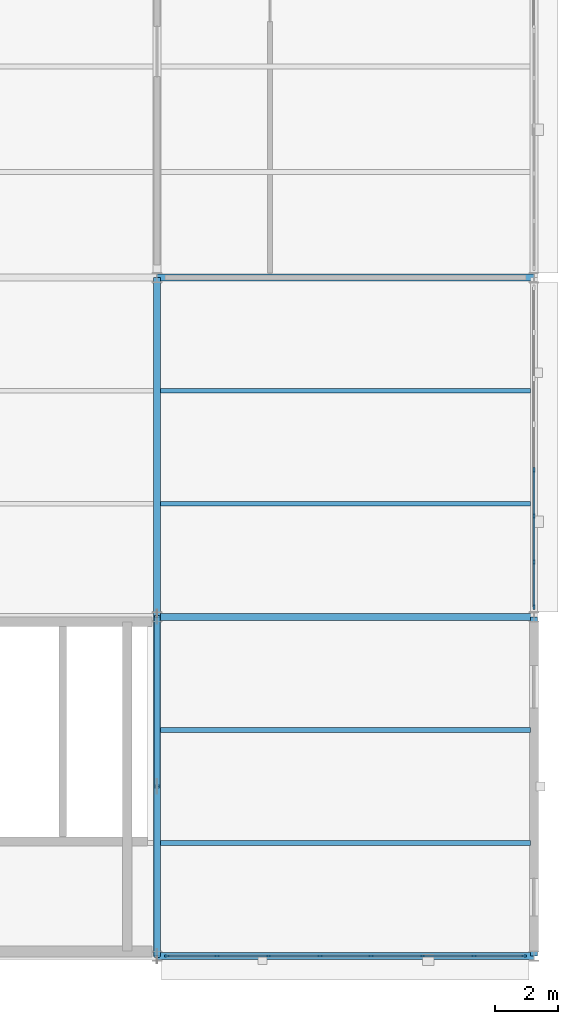
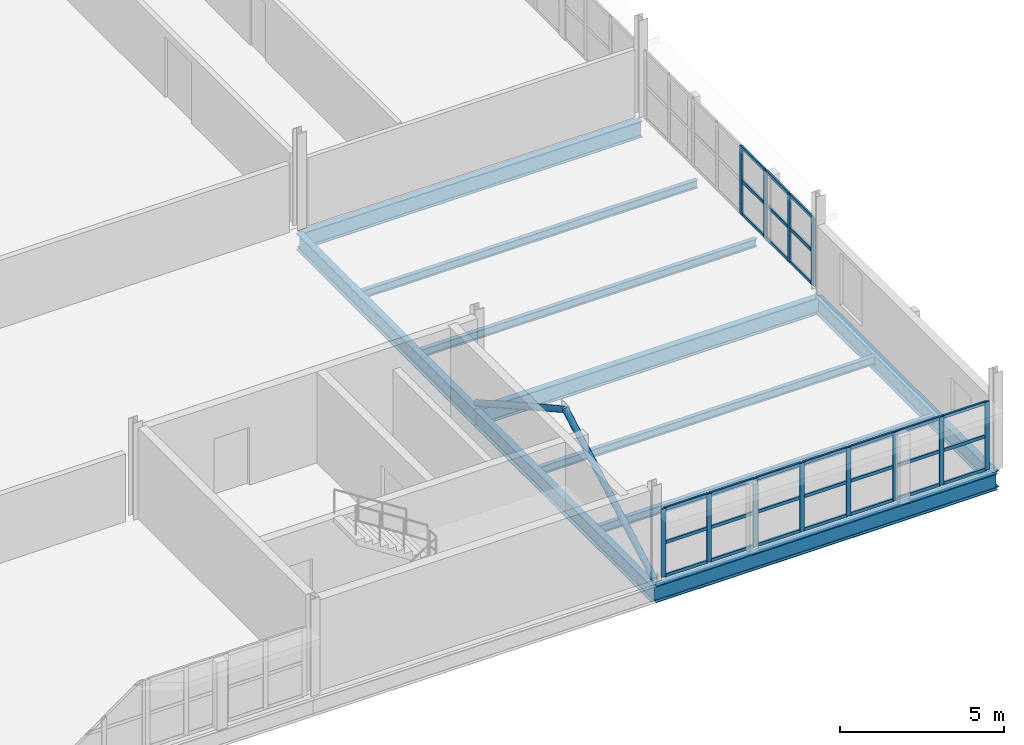
# One storey, part 39 of 79: 44 members, 10 beams, 2 elements without a shape of their own.
"""IFC4 building model written with IfcOpenShell, lengths in metres."""

from ifc_helpers import new_model, si_unit, direction, frame, origin, origin_2d, place, context, subcontext, project, spatial, rectangle, hollow_circle, i_section, extrude, material, layer, layer_set, material_profile, profile_set, type_object, element, aggregate, save


model = new_model("IFC4")

# Units and contexts
model_context = context("Model", 3, precision=1e-05, world=origin(), true_north=direction((0.0, 1.0)))
body_context = subcontext(model_context, "Body", "Model", "MODEL_VIEW")
ifc_project = project(units=[si_unit("LENGTHUNIT", "METRE"), si_unit("AREAUNIT", "SQUARE_METRE"), si_unit("VOLUMEUNIT", "CUBIC_METRE"), si_unit("PLANEANGLEUNIT", "RADIAN"), si_unit("MASSUNIT", "GRAM", prefix="KILO"), si_unit("THERMODYNAMICTEMPERATUREUNIT", "KELVIN"), si_unit("POWERUNIT", "WATT")], contexts=[model_context])

# Site, building, storey
site_placement = place(None, origin())
site = spatial("IfcSite", under=ifc_project, at=site_placement, CompositionType="ELEMENT")
building_placement = place(site_placement, origin())
building = spatial("IfcBuilding", under=site, at=building_placement, Name="Tembeka Court Mobility Hub", CompositionType="ELEMENT")
storey_placement = place(building_placement, frame((0.0, 0.0, 9.0)))
storey = spatial("IfcBuildingStorey", under=building, at=storey_placement, Name="L02", CompositionType="ELEMENT", Elevation=9.0)

# Beams
ifc_material_1 = material(Name="Steel S355", Category="steel")
ifc_material_profile_1 = material_profile(ifc_material_1, i_section(OverallWidth=0.22900390625, OverallDepth=0.612060546875, WebThickness=0.011962890625, FlangeThickness=0.01953125, FilletRadius=0.0126953125, at=origin_2d()), Name="UKB 610x229x125")
ifc_profile_set_1 = profile_set([ifc_material_profile_1], Name="Steel S355")
beam_type_1 = type_object("IfcBeamType", Name="BM-G02", PredefinedType="USERDEFINED", material=ifc_profile_set_1)
for number, where, z_axis, x_axis, name in (
    (1, (164.39990234375, 0.0, -0.49609375), (1.0, 0.0, 0.0), (0.0, 1.0, 0.0), "Beam G02 (BM-L02-X1184)"),
    (2, (164.39990234375, 10.800048828125, -0.49609375), (1.0, 0.0, 0.0), (0.0, 1.0, 0.0), "Beam G02 (BM-L02-X1192)"),
    (3, (164.39990234375, 21.60009765625, -0.49609375), (1.0, 0.0, 0.0), (0.0, 1.0, 0.0), "Beam G02 (BM-L02-X1208)"),
):
    element("IfcBeam", number, at=place(storey_placement, frame(where, z_axis=z_axis, x_axis=x_axis)), inside=storey, type_object=beam_type_1, Name=name, ObjectType="GIRDER", PredefinedType="USERDEFINED", context=body_context, shape_type="SweptSolid", body=[
        extrude(i_section(OverallWidth=0.22900390625, OverallDepth=0.612060546875, WebThickness=0.011962890625, FlangeThickness=0.01953125, FilletRadius=0.0126953125, at=origin_2d()), origin(), (0.0, 0.0, 1.0), 12.0),
    ])
for number, where, z_axis, x_axis, name in (
    (4, (164.39990234375, 0.0, -0.49609375), (0.0, 1.0, 0.0), (-1.0, 0.0, 0.0), "Beam G02 (BM-L02-Y1427)"),
    (5, (164.39990234375, 10.800048828125, -0.49609375), (0.0, 1.0, 0.0), (-1.0, 0.0, 0.0), "Beam G02 (BM-L02-Y1428)"),
    (6, (176.39990234375, 0.0, -0.49609375), (0.0, 1.0, 0.0), (-1.0, 0.0, 0.0), "Beam G02 (BM-L02-Y1433)"),
):
    element("IfcBeam", number, at=place(storey_placement, frame(where, z_axis=z_axis, x_axis=x_axis)), inside=storey, type_object=beam_type_1, Name=name, ObjectType="GIRDER", PredefinedType="USERDEFINED", context=body_context, shape_type="SweptSolid", body=[
        extrude(i_section(OverallWidth=0.22900390625, OverallDepth=0.612060546875, WebThickness=0.011962890625, FlangeThickness=0.01953125, FilletRadius=0.0126953125, at=origin_2d()), origin(), (0.0, 0.0, 1.0), 10.800048828125),
    ])
ifc_material_profile_2 = material_profile(ifc_material_1, i_section(OverallWidth=0.14990234375, OverallDepth=0.300048828125, WebThickness=0.007080078125, FlangeThickness=0.0107421875, FilletRadius=0.014892578125, at=origin_2d()), Name="IPE 300")
ifc_profile_set_2 = profile_set([ifc_material_profile_2], Name="Steel S355")
beam_type_2 = type_object("IfcBeamType", Name="BM-J04", PredefinedType="JOIST", material=ifc_profile_set_2)
for number, where, z_axis, x_axis, name in (
    (7, (164.509521484375, 3.60009765625, -0.340087890625), (1.0, 0.0, 0.0), (0.0, 1.0, 0.0), "Beam J04 (JST-L02-1668)"),
    (8, (164.509521484375, 7.199951171875, -0.340087890625), (1.0, 0.0, 0.0), (0.0, 1.0, 0.0), "Beam J04 (JST-L02-1669)"),
    (9, (164.509521484375, 14.39990234375, -0.340087890625), (1.0, 0.0, 0.0), (0.0, 1.0, 0.0), "Beam J04 (JST-L02-1670)"),
    (10, (164.509521484375, 18.0, -0.340087890625), (1.0, 0.0, 0.0), (0.0, 1.0, 0.0), "Beam J04 (JST-L02-1671)"),
):
    element("IfcBeam", number, at=place(storey_placement, frame(where, z_axis=z_axis, x_axis=x_axis)), inside=storey, type_object=beam_type_2, Name=name, PredefinedType="JOIST", context=body_context, shape_type="SweptSolid", body=[
        extrude(i_section(OverallWidth=0.14990234375, OverallDepth=0.300048828125, WebThickness=0.007080078125, FlangeThickness=0.0107421875, FilletRadius=0.014892578125, at=origin_2d()), origin(), (0.0, 0.0, 1.0), 11.781005859375),
    ])

# Curtain wall, members
ifc_material_2 = material(Name="Anodised aluminium 6063-T6", Category="aluminium")
ifc_layer_1 = layer(ifc_material_2, 0.159912109375)
ifc_layer_set_1 = layer_set([ifc_layer_1], Name="Anodised aluminium 6063-T6")
curtain_wall_type_1 = type_object("IfcCurtainWallType", Name="CW-SYS41", PredefinedType="USERDEFINED", material=ifc_layer_set_1)
curtain_wall_1_placement = place(storey_placement, origin())
curtain_wall_1 = element("IfcCurtainWall", 11, at=curtain_wall_1_placement, inside=storey, type_object=curtain_wall_type_1, Name="Unitised curtain wall CW41 (CW-L02-122)", ObjectType="UNITISED GLAZING", PredefinedType="USERDEFINED")
ifc_material_profile_3 = material_profile(ifc_material_2, rectangle(XDim=0.06494140625, YDim=0.159912109375, at=origin_2d()), Name="ALU-MUL 65x160")
ifc_profile_set_3 = profile_set([ifc_material_profile_3], Name="Anodised aluminium 6063-T6")
member_type_1 = type_object("IfcMemberType", Name="CW-MUL01", PredefinedType="MULLION", material=ifc_profile_set_3)
member_1_placement = place(storey_placement, frame((164.71240234375, 0.0, 0.0), z_axis=(0.0, 0.0, 1.0), x_axis=(0.0, 1.0, 0.0)))
member_1 = element("IfcMember", 12, at=member_1_placement, type_object=member_type_1, Name="CW41 mullion 1", PredefinedType="MULLION", context=body_context, shape_type="SweptSolid", body=[
    extrude(rectangle(XDim=0.06494140625, YDim=0.159912109375, at=origin_2d()), origin(), (0.0, 0.0, 1.0), 2.534912109375),
])
member_2_placement = place(storey_placement, frame((166.314208984375, 0.0, 0.0), z_axis=(0.0, 0.0, 1.0), x_axis=(0.0, 1.0, 0.0)))
member_2 = element("IfcMember", 13, at=member_2_placement, type_object=member_type_1, Name="CW41 mullion 2", PredefinedType="MULLION", context=body_context, shape_type="SweptSolid", body=[
    extrude(rectangle(XDim=0.06494140625, YDim=0.159912109375, at=origin_2d()), origin(), (0.0, 0.0, 1.0), 2.534912109375),
])
member_3_placement = place(storey_placement, frame((167.948486328125, 0.0, 0.0), z_axis=(0.0, 0.0, 1.0), x_axis=(0.0, 1.0, 0.0)))
member_3 = element("IfcMember", 14, at=member_3_placement, type_object=member_type_1, Name="CW41 mullion 3", PredefinedType="MULLION", context=body_context, shape_type="SweptSolid", body=[
    extrude(rectangle(XDim=0.06494140625, YDim=0.159912109375, at=origin_2d()), origin(), (0.0, 0.0, 1.0), 2.534912109375),
])
member_4_placement = place(storey_placement, frame((169.582763671875, 0.0, 0.0), z_axis=(0.0, 0.0, 1.0), x_axis=(0.0, 1.0, 0.0)))
member_4 = element("IfcMember", 15, at=member_4_placement, type_object=member_type_1, Name="CW41 mullion 4", PredefinedType="MULLION", context=body_context, shape_type="SweptSolid", body=[
    extrude(rectangle(XDim=0.06494140625, YDim=0.159912109375, at=origin_2d()), origin(), (0.0, 0.0, 1.0), 2.534912109375),
])
member_5_placement = place(storey_placement, frame((171.217041015625, 0.0, 0.0), z_axis=(0.0, 0.0, 1.0), x_axis=(0.0, 1.0, 0.0)))
member_5 = element("IfcMember", 16, at=member_5_placement, type_object=member_type_1, Name="CW41 mullion 5", PredefinedType="MULLION", context=body_context, shape_type="SweptSolid", body=[
    extrude(rectangle(XDim=0.06494140625, YDim=0.159912109375, at=origin_2d()), origin(), (0.0, 0.0, 1.0), 2.534912109375),
])
member_6_placement = place(storey_placement, frame((172.851318359375, 0.0, 0.0), z_axis=(0.0, 0.0, 1.0), x_axis=(0.0, 1.0, 0.0)))
member_6 = element("IfcMember", 17, at=member_6_placement, type_object=member_type_1, Name="CW41 mullion 6", PredefinedType="MULLION", context=body_context, shape_type="SweptSolid", body=[
    extrude(rectangle(XDim=0.06494140625, YDim=0.159912109375, at=origin_2d()), origin(), (0.0, 0.0, 1.0), 2.534912109375),
])
member_7_placement = place(storey_placement, frame((174.485595703125, 0.0, 0.0), z_axis=(0.0, 0.0, 1.0), x_axis=(0.0, 1.0, 0.0)))
member_7 = element("IfcMember", 18, at=member_7_placement, type_object=member_type_1, Name="CW41 mullion 7", PredefinedType="MULLION", context=body_context, shape_type="SweptSolid", body=[
    extrude(rectangle(XDim=0.06494140625, YDim=0.159912109375, at=origin_2d()), origin(), (0.0, 0.0, 1.0), 2.534912109375),
])
member_8_placement = place(storey_placement, frame((176.08740234375, 0.0, 0.0), z_axis=(0.0, 0.0, 1.0), x_axis=(0.0, 1.0, 0.0)))
member_8 = element("IfcMember", 19, at=member_8_placement, type_object=member_type_1, Name="CW41 mullion 8", PredefinedType="MULLION", context=body_context, shape_type="SweptSolid", body=[
    extrude(rectangle(XDim=0.06494140625, YDim=0.159912109375, at=origin_2d()), origin(), (0.0, 0.0, 1.0), 2.534912109375),
])

ifc_layer_2 = layer(ifc_material_2, 0.159912109375)
ifc_layer_set_2 = layer_set([ifc_layer_2], Name="Anodised aluminium 6063-T6")
curtain_wall_type_2 = type_object("IfcCurtainWallType", Name="CW-SYS42", PredefinedType="USERDEFINED", material=ifc_layer_set_2)
curtain_wall_2_placement = place(storey_placement, origin())
curtain_wall_2 = element("IfcCurtainWall", 20, at=curtain_wall_2_placement, inside=storey, type_object=curtain_wall_type_2, Name="Unitised curtain wall CW42 (CW-L02-123)", ObjectType="UNITISED GLAZING", PredefinedType="USERDEFINED")
member_9_placement = place(storey_placement, frame((176.39990234375, 11.112548828125, 0.0), z_axis=(0.0, 0.0, 1.0), x_axis=(-1.0, 0.0, 0.0)))
member_9 = element("IfcMember", 21, at=member_9_placement, type_object=member_type_1, Name="CW42 mullion 1", PredefinedType="MULLION", context=body_context, shape_type="SweptSolid", body=[
    extrude(rectangle(XDim=0.06494140625, YDim=0.159912109375, at=origin_2d()), origin(), (0.0, 0.0, 1.0), 2.534912109375),
])
member_10_placement = place(storey_placement, frame((176.39990234375, 12.54296875, 0.0), z_axis=(0.0, 0.0, 1.0), x_axis=(-1.0, 0.0, 0.0)))
member_10 = element("IfcMember", 22, at=member_10_placement, type_object=member_type_1, Name="CW42 mullion 2", PredefinedType="MULLION", context=body_context, shape_type="SweptSolid", body=[
    extrude(rectangle(XDim=0.06494140625, YDim=0.159912109375, at=origin_2d()), origin(), (0.0, 0.0, 1.0), 2.534912109375),
])
member_11_placement = place(storey_placement, frame((176.39990234375, 14.005615234375, 0.0), z_axis=(0.0, 0.0, 1.0), x_axis=(-1.0, 0.0, 0.0)))
member_11 = element("IfcMember", 23, at=member_11_placement, type_object=member_type_1, Name="CW42 mullion 3", PredefinedType="MULLION", context=body_context, shape_type="SweptSolid", body=[
    extrude(rectangle(XDim=0.06494140625, YDim=0.159912109375, at=origin_2d()), origin(), (0.0, 0.0, 1.0), 2.534912109375),
])
member_12_placement = place(storey_placement, frame((176.39990234375, 15.468505859375, 0.0), z_axis=(0.0, 0.0, 1.0), x_axis=(-1.0, 0.0, 0.0)))
member_12 = element("IfcMember", 24, at=member_12_placement, type_object=member_type_1, Name="CW42 mullion 4", PredefinedType="MULLION", context=body_context, shape_type="SweptSolid", body=[
    extrude(rectangle(XDim=0.06494140625, YDim=0.159912109375, at=origin_2d()), origin(), (0.0, 0.0, 1.0), 2.534912109375),
])

# Member
ifc_material_profile_4 = material_profile(ifc_material_2, rectangle(XDim=0.06494140625, YDim=0.1201171875, at=origin_2d()), Name="ALU-TRN 65x120")
ifc_profile_set_4 = profile_set([ifc_material_profile_4], Name="Anodised aluminium 6063-T6")
member_type_2 = type_object("IfcMemberType", Name="CW-TRN01", PredefinedType="USERDEFINED", material=ifc_profile_set_4)
member_13_placement = place(storey_placement, frame((164.7451171875, 0.0, 0.032470703125), z_axis=(1.0, 0.0, 0.0), x_axis=(0.0, 1.0, 0.0)))
member_13 = element("IfcMember", 25, at=member_13_placement, type_object=member_type_2, Name="CW41 transom 1.1", ObjectType="TRANSOM", PredefinedType="USERDEFINED", context=body_context, shape_type="SweptSolid", body=[
    extrude(rectangle(XDim=0.06494140625, YDim=0.1201171875, at=origin_2d()), origin(), (0.0, 0.0, 1.0), 1.53662109375),
])

member_14_placement = place(storey_placement, frame((164.7451171875, 0.0, 1.267578125), z_axis=(1.0, 0.0, 0.0), x_axis=(0.0, 1.0, 0.0)))
member_14 = element("IfcMember", 26, at=member_14_placement, type_object=member_type_2, Name="CW41 transom 1.2", ObjectType="TRANSOM", PredefinedType="USERDEFINED", context=body_context, shape_type="SweptSolid", body=[
    extrude(rectangle(XDim=0.06494140625, YDim=0.1201171875, at=origin_2d()), origin(), (0.0, 0.0, 1.0), 1.53662109375),
])

member_15_placement = place(storey_placement, frame((164.7451171875, 0.0, 2.50244140625), z_axis=(1.0, 0.0, 0.0), x_axis=(0.0, 1.0, 0.0)))
member_15 = element("IfcMember", 27, at=member_15_placement, type_object=member_type_2, Name="CW41 transom 1.3", ObjectType="TRANSOM", PredefinedType="USERDEFINED", context=body_context, shape_type="SweptSolid", body=[
    extrude(rectangle(XDim=0.06494140625, YDim=0.1201171875, at=origin_2d()), origin(), (0.0, 0.0, 1.0), 1.53662109375),
])

member_16_placement = place(storey_placement, frame((166.3466796875, 0.0, 0.032470703125), z_axis=(1.0, 0.0, 0.0), x_axis=(0.0, 1.0, 0.0)))
member_16 = element("IfcMember", 28, at=member_16_placement, type_object=member_type_2, Name="CW41 transom 2.1", ObjectType="TRANSOM", PredefinedType="USERDEFINED", context=body_context, shape_type="SweptSolid", body=[
    extrude(rectangle(XDim=0.06494140625, YDim=0.1201171875, at=origin_2d()), origin(), (0.0, 0.0, 1.0), 1.5693359375),
])

member_17_placement = place(storey_placement, frame((166.3466796875, 0.0, 1.267578125), z_axis=(1.0, 0.0, 0.0), x_axis=(0.0, 1.0, 0.0)))
member_17 = element("IfcMember", 29, at=member_17_placement, type_object=member_type_2, Name="CW41 transom 2.2", ObjectType="TRANSOM", PredefinedType="USERDEFINED", context=body_context, shape_type="SweptSolid", body=[
    extrude(rectangle(XDim=0.06494140625, YDim=0.1201171875, at=origin_2d()), origin(), (0.0, 0.0, 1.0), 1.5693359375),
])

member_18_placement = place(storey_placement, frame((166.3466796875, 0.0, 2.50244140625), z_axis=(1.0, 0.0, 0.0), x_axis=(0.0, 1.0, 0.0)))
member_18 = element("IfcMember", 30, at=member_18_placement, type_object=member_type_2, Name="CW41 transom 2.3", ObjectType="TRANSOM", PredefinedType="USERDEFINED", context=body_context, shape_type="SweptSolid", body=[
    extrude(rectangle(XDim=0.06494140625, YDim=0.1201171875, at=origin_2d()), origin(), (0.0, 0.0, 1.0), 1.5693359375),
])

member_19_placement = place(storey_placement, frame((167.98095703125, 0.0, 0.032470703125), z_axis=(1.0, 0.0, 0.0), x_axis=(0.0, 1.0, 0.0)))
member_19 = element("IfcMember", 31, at=member_19_placement, type_object=member_type_2, Name="CW41 transom 3.1", ObjectType="TRANSOM", PredefinedType="USERDEFINED", context=body_context, shape_type="SweptSolid", body=[
    extrude(rectangle(XDim=0.06494140625, YDim=0.1201171875, at=origin_2d()), origin(), (0.0, 0.0, 1.0), 1.5693359375),
])

member_20_placement = place(storey_placement, frame((167.98095703125, 0.0, 1.267578125), z_axis=(1.0, 0.0, 0.0), x_axis=(0.0, 1.0, 0.0)))
member_20 = element("IfcMember", 32, at=member_20_placement, type_object=member_type_2, Name="CW41 transom 3.2", ObjectType="TRANSOM", PredefinedType="USERDEFINED", context=body_context, shape_type="SweptSolid", body=[
    extrude(rectangle(XDim=0.06494140625, YDim=0.1201171875, at=origin_2d()), origin(), (0.0, 0.0, 1.0), 1.5693359375),
])

member_21_placement = place(storey_placement, frame((167.98095703125, 0.0, 2.50244140625), z_axis=(1.0, 0.0, 0.0), x_axis=(0.0, 1.0, 0.0)))
member_21 = element("IfcMember", 33, at=member_21_placement, type_object=member_type_2, Name="CW41 transom 3.3", ObjectType="TRANSOM", PredefinedType="USERDEFINED", context=body_context, shape_type="SweptSolid", body=[
    extrude(rectangle(XDim=0.06494140625, YDim=0.1201171875, at=origin_2d()), origin(), (0.0, 0.0, 1.0), 1.5693359375),
])

member_22_placement = place(storey_placement, frame((169.615478515625, 0.0, 0.032470703125), z_axis=(1.0, 0.0, 0.0), x_axis=(0.0, 1.0, 0.0)))
member_22 = element("IfcMember", 34, at=member_22_placement, type_object=member_type_2, Name="CW41 transom 4.1", ObjectType="TRANSOM", PredefinedType="USERDEFINED", context=body_context, shape_type="SweptSolid", body=[
    extrude(rectangle(XDim=0.06494140625, YDim=0.1201171875, at=origin_2d()), origin(), (0.0, 0.0, 1.0), 1.569091796875),
])

member_23_placement = place(storey_placement, frame((169.615478515625, 0.0, 1.267578125), z_axis=(1.0, 0.0, 0.0), x_axis=(0.0, 1.0, 0.0)))
member_23 = element("IfcMember", 35, at=member_23_placement, type_object=member_type_2, Name="CW41 transom 4.2", ObjectType="TRANSOM", PredefinedType="USERDEFINED", context=body_context, shape_type="SweptSolid", body=[
    extrude(rectangle(XDim=0.06494140625, YDim=0.1201171875, at=origin_2d()), origin(), (0.0, 0.0, 1.0), 1.569091796875),
])

member_24_placement = place(storey_placement, frame((169.615478515625, 0.0, 2.50244140625), z_axis=(1.0, 0.0, 0.0), x_axis=(0.0, 1.0, 0.0)))
member_24 = element("IfcMember", 36, at=member_24_placement, type_object=member_type_2, Name="CW41 transom 4.3", ObjectType="TRANSOM", PredefinedType="USERDEFINED", context=body_context, shape_type="SweptSolid", body=[
    extrude(rectangle(XDim=0.06494140625, YDim=0.1201171875, at=origin_2d()), origin(), (0.0, 0.0, 1.0), 1.569091796875),
])

member_25_placement = place(storey_placement, frame((171.249755859375, 0.0, 0.032470703125), z_axis=(1.0, 0.0, 0.0), x_axis=(0.0, 1.0, 0.0)))
member_25 = element("IfcMember", 37, at=member_25_placement, type_object=member_type_2, Name="CW41 transom 5.1", ObjectType="TRANSOM", PredefinedType="USERDEFINED", context=body_context, shape_type="SweptSolid", body=[
    extrude(rectangle(XDim=0.06494140625, YDim=0.1201171875, at=origin_2d()), origin(), (0.0, 0.0, 1.0), 1.569091796875),
])

member_26_placement = place(storey_placement, frame((171.249755859375, 0.0, 1.267578125), z_axis=(1.0, 0.0, 0.0), x_axis=(0.0, 1.0, 0.0)))
member_26 = element("IfcMember", 38, at=member_26_placement, type_object=member_type_2, Name="CW41 transom 5.2", ObjectType="TRANSOM", PredefinedType="USERDEFINED", context=body_context, shape_type="SweptSolid", body=[
    extrude(rectangle(XDim=0.06494140625, YDim=0.1201171875, at=origin_2d()), origin(), (0.0, 0.0, 1.0), 1.569091796875),
])

member_27_placement = place(storey_placement, frame((171.249755859375, 0.0, 2.50244140625), z_axis=(1.0, 0.0, 0.0), x_axis=(0.0, 1.0, 0.0)))
member_27 = element("IfcMember", 39, at=member_27_placement, type_object=member_type_2, Name="CW41 transom 5.3", ObjectType="TRANSOM", PredefinedType="USERDEFINED", context=body_context, shape_type="SweptSolid", body=[
    extrude(rectangle(XDim=0.06494140625, YDim=0.1201171875, at=origin_2d()), origin(), (0.0, 0.0, 1.0), 1.569091796875),
])

member_28_placement = place(storey_placement, frame((172.884033203125, 0.0, 0.032470703125), z_axis=(1.0, 0.0, 0.0), x_axis=(0.0, 1.0, 0.0)))
member_28 = element("IfcMember", 40, at=member_28_placement, type_object=member_type_2, Name="CW41 transom 6.1", ObjectType="TRANSOM", PredefinedType="USERDEFINED", context=body_context, shape_type="SweptSolid", body=[
    extrude(rectangle(XDim=0.06494140625, YDim=0.1201171875, at=origin_2d()), origin(), (0.0, 0.0, 1.0), 1.569091796875),
])

member_29_placement = place(storey_placement, frame((172.884033203125, 0.0, 1.267578125), z_axis=(1.0, 0.0, 0.0), x_axis=(0.0, 1.0, 0.0)))
member_29 = element("IfcMember", 41, at=member_29_placement, type_object=member_type_2, Name="CW41 transom 6.2", ObjectType="TRANSOM", PredefinedType="USERDEFINED", context=body_context, shape_type="SweptSolid", body=[
    extrude(rectangle(XDim=0.06494140625, YDim=0.1201171875, at=origin_2d()), origin(), (0.0, 0.0, 1.0), 1.569091796875),
])

member_30_placement = place(storey_placement, frame((172.884033203125, 0.0, 2.50244140625), z_axis=(1.0, 0.0, 0.0), x_axis=(0.0, 1.0, 0.0)))
member_30 = element("IfcMember", 42, at=member_30_placement, type_object=member_type_2, Name="CW41 transom 6.3", ObjectType="TRANSOM", PredefinedType="USERDEFINED", context=body_context, shape_type="SweptSolid", body=[
    extrude(rectangle(XDim=0.06494140625, YDim=0.1201171875, at=origin_2d()), origin(), (0.0, 0.0, 1.0), 1.569091796875),
])

member_31_placement = place(storey_placement, frame((174.518310546875, 0.0, 0.032470703125), z_axis=(1.0, 0.0, 0.0), x_axis=(0.0, 1.0, 0.0)))
member_31 = element("IfcMember", 43, at=member_31_placement, type_object=member_type_2, Name="CW41 transom 7.1", ObjectType="TRANSOM", PredefinedType="USERDEFINED", context=body_context, shape_type="SweptSolid", body=[
    extrude(rectangle(XDim=0.06494140625, YDim=0.1201171875, at=origin_2d()), origin(), (0.0, 0.0, 1.0), 1.53662109375),
])

member_32_placement = place(storey_placement, frame((174.518310546875, 0.0, 1.267578125), z_axis=(1.0, 0.0, 0.0), x_axis=(0.0, 1.0, 0.0)))
member_32 = element("IfcMember", 44, at=member_32_placement, type_object=member_type_2, Name="CW41 transom 7.2", ObjectType="TRANSOM", PredefinedType="USERDEFINED", context=body_context, shape_type="SweptSolid", body=[
    extrude(rectangle(XDim=0.06494140625, YDim=0.1201171875, at=origin_2d()), origin(), (0.0, 0.0, 1.0), 1.53662109375),
])

member_33_placement = place(storey_placement, frame((174.518310546875, 0.0, 2.50244140625), z_axis=(1.0, 0.0, 0.0), x_axis=(0.0, 1.0, 0.0)))
member_33 = element("IfcMember", 45, at=member_33_placement, type_object=member_type_2, Name="CW41 transom 7.3", ObjectType="TRANSOM", PredefinedType="USERDEFINED", context=body_context, shape_type="SweptSolid", body=[
    extrude(rectangle(XDim=0.06494140625, YDim=0.1201171875, at=origin_2d()), origin(), (0.0, 0.0, 1.0), 1.53662109375),
])

aggregate(curtain_wall_1, [member_1, member_2, member_3, member_4, member_5, member_6, member_7, member_8, member_13, member_14, member_15, member_16, member_17, member_18, member_19, member_20, member_21, member_22, member_23, member_24, member_25, member_26, member_27, member_28, member_29, member_30, member_31, member_32, member_33])

member_34_placement = place(storey_placement, frame((176.39990234375, 11.14501953125, 0.032470703125), z_axis=(0.0, 1.0, 0.0), x_axis=(-1.0, 0.0, 0.0)))
member_34 = element("IfcMember", 46, at=member_34_placement, type_object=member_type_2, Name="CW42 transom 1.1", ObjectType="TRANSOM", PredefinedType="USERDEFINED", context=body_context, shape_type="SweptSolid", body=[
    extrude(rectangle(XDim=0.06494140625, YDim=0.1201171875, at=origin_2d()), origin(), (0.0, 0.0, 1.0), 1.365234375),
])

member_35_placement = place(storey_placement, frame((176.39990234375, 11.14501953125, 1.267578125), z_axis=(0.0, 1.0, 0.0), x_axis=(-1.0, 0.0, 0.0)))
member_35 = element("IfcMember", 47, at=member_35_placement, type_object=member_type_2, Name="CW42 transom 1.2", ObjectType="TRANSOM", PredefinedType="USERDEFINED", context=body_context, shape_type="SweptSolid", body=[
    extrude(rectangle(XDim=0.06494140625, YDim=0.1201171875, at=origin_2d()), origin(), (0.0, 0.0, 1.0), 1.365234375),
])

member_36_placement = place(storey_placement, frame((176.39990234375, 11.14501953125, 2.50244140625), z_axis=(0.0, 1.0, 0.0), x_axis=(-1.0, 0.0, 0.0)))
member_36 = element("IfcMember", 48, at=member_36_placement, type_object=member_type_2, Name="CW42 transom 1.3", ObjectType="TRANSOM", PredefinedType="USERDEFINED", context=body_context, shape_type="SweptSolid", body=[
    extrude(rectangle(XDim=0.06494140625, YDim=0.1201171875, at=origin_2d()), origin(), (0.0, 0.0, 1.0), 1.365234375),
])

member_37_placement = place(storey_placement, frame((176.39990234375, 12.575439453125, 0.032470703125), z_axis=(0.0, 1.0, 0.0), x_axis=(-1.0, 0.0, 0.0)))
member_37 = element("IfcMember", 49, at=member_37_placement, type_object=member_type_2, Name="CW42 transom 2.1", ObjectType="TRANSOM", PredefinedType="USERDEFINED", context=body_context, shape_type="SweptSolid", body=[
    extrude(rectangle(XDim=0.06494140625, YDim=0.1201171875, at=origin_2d()), origin(), (0.0, 0.0, 1.0), 1.397705078125),
])

member_38_placement = place(storey_placement, frame((176.39990234375, 12.575439453125, 1.267578125), z_axis=(0.0, 1.0, 0.0), x_axis=(-1.0, 0.0, 0.0)))
member_38 = element("IfcMember", 50, at=member_38_placement, type_object=member_type_2, Name="CW42 transom 2.2", ObjectType="TRANSOM", PredefinedType="USERDEFINED", context=body_context, shape_type="SweptSolid", body=[
    extrude(rectangle(XDim=0.06494140625, YDim=0.1201171875, at=origin_2d()), origin(), (0.0, 0.0, 1.0), 1.397705078125),
])

member_39_placement = place(storey_placement, frame((176.39990234375, 12.575439453125, 2.50244140625), z_axis=(0.0, 1.0, 0.0), x_axis=(-1.0, 0.0, 0.0)))
member_39 = element("IfcMember", 51, at=member_39_placement, type_object=member_type_2, Name="CW42 transom 2.3", ObjectType="TRANSOM", PredefinedType="USERDEFINED", context=body_context, shape_type="SweptSolid", body=[
    extrude(rectangle(XDim=0.06494140625, YDim=0.1201171875, at=origin_2d()), origin(), (0.0, 0.0, 1.0), 1.397705078125),
])

member_40_placement = place(storey_placement, frame((176.39990234375, 14.038330078125, 0.032470703125), z_axis=(0.0, 1.0, 0.0), x_axis=(-1.0, 0.0, 0.0)))
member_40 = element("IfcMember", 52, at=member_40_placement, type_object=member_type_2, Name="CW42 transom 3.1", ObjectType="TRANSOM", PredefinedType="USERDEFINED", context=body_context, shape_type="SweptSolid", body=[
    extrude(rectangle(XDim=0.06494140625, YDim=0.1201171875, at=origin_2d()), origin(), (0.0, 0.0, 1.0), 1.397705078125),
])

member_41_placement = place(storey_placement, frame((176.39990234375, 14.038330078125, 1.267578125), z_axis=(0.0, 1.0, 0.0), x_axis=(-1.0, 0.0, 0.0)))
member_41 = element("IfcMember", 53, at=member_41_placement, type_object=member_type_2, Name="CW42 transom 3.2", ObjectType="TRANSOM", PredefinedType="USERDEFINED", context=body_context, shape_type="SweptSolid", body=[
    extrude(rectangle(XDim=0.06494140625, YDim=0.1201171875, at=origin_2d()), origin(), (0.0, 0.0, 1.0), 1.397705078125),
])

member_42_placement = place(storey_placement, frame((176.39990234375, 14.038330078125, 2.50244140625), z_axis=(0.0, 1.0, 0.0), x_axis=(-1.0, 0.0, 0.0)))
member_42 = element("IfcMember", 54, at=member_42_placement, type_object=member_type_2, Name="CW42 transom 3.3", ObjectType="TRANSOM", PredefinedType="USERDEFINED", context=body_context, shape_type="SweptSolid", body=[
    extrude(rectangle(XDim=0.06494140625, YDim=0.1201171875, at=origin_2d()), origin(), (0.0, 0.0, 1.0), 1.397705078125),
])

aggregate(curtain_wall_2, [member_9, member_10, member_11, member_12, member_34, member_35, member_36, member_37, member_38, member_39, member_40, member_41, member_42])

# Members
ifc_material_profile_5 = material_profile(ifc_material_1, hollow_circle(Radius=0.109619140625, WallThickness=0.010009765625, at=origin_2d()), Name="CHS 219.1x10")
ifc_profile_set_5 = profile_set([ifc_material_profile_5], Name="Steel S355")
member_type_3 = type_object("IfcMemberType", Name="MEM-BR01", PredefinedType="BRACE", material=ifc_profile_set_5)
member_43_placement = place(storey_placement, frame((164.39990234375, 0.0, 0.02001953125), z_axis=(0.0, 0.872086818054, 0.489351184505), x_axis=(-1.0, 0.0, 0.0)))
element("IfcMember", 55, at=member_43_placement, inside=storey, type_object=member_type_3, Name="Steel chevron brace BR01 (L02-16A)", PredefinedType="BRACE", context=body_context, shape_type="SweptSolid", body=[
    extrude(hollow_circle(Radius=0.109619140625, WallThickness=0.010009765625, at=origin_2d()), origin(), (0.0, 0.0, 1.0), 6.19189453125),
])
member_44_placement = place(storey_placement, frame((164.39990234375, 10.800048828125, 0.02001953125), z_axis=(0.0, -0.872096259375, 0.489334358475), x_axis=(1.0, 0.0, 0.0)))
element("IfcMember", 56, at=member_44_placement, inside=storey, type_object=member_type_3, Name="Steel chevron brace BR01 (L02-16B)", PredefinedType="BRACE", context=body_context, shape_type="SweptSolid", body=[
    extrude(hollow_circle(Radius=0.109619140625, WallThickness=0.010009765625, at=origin_2d()), origin(), (0.0, 0.0, 1.0), 6.192138671875),
])

save(model, "model.ifc")
